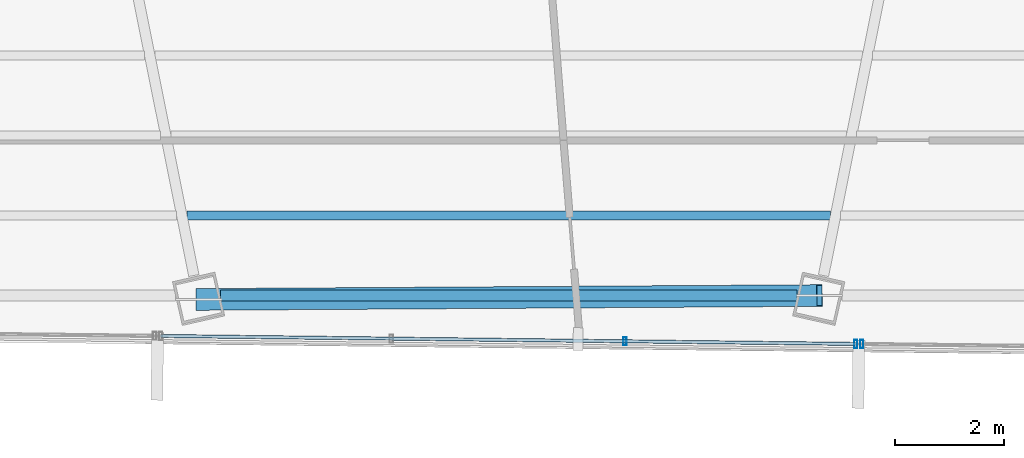
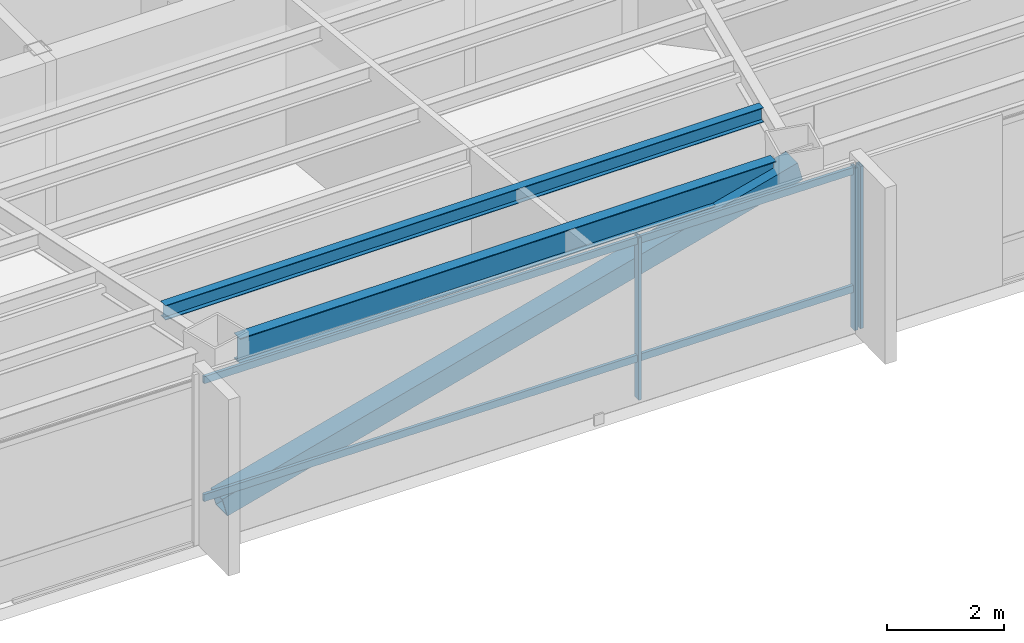
# One storey, part 10 of 40: 6 members, 2 beams, 2 elements without a shape of their own.
"""IFC4 building model written with IfcOpenShell, lengths in metres."""

from ifc_helpers import new_model, si_unit, direction, frame, origin, origin_2d, place, context, subcontext, project, spatial, hollow_rectangle, i_section, extrude, source, transform, mapped, material, material_profile, profile_set, type_object, type_shapes, element, aggregate, save


model = new_model("IFC4")

# Units and contexts
model_context = context("Model", 3, precision=1e-05, world=origin(), true_north=direction((0.0, 1.0)))
body_context = subcontext(model_context, "Body", "Model", "MODEL_VIEW")
ifc_project = project(units=[si_unit("LENGTHUNIT", "METRE"), si_unit("AREAUNIT", "SQUARE_METRE"), si_unit("VOLUMEUNIT", "CUBIC_METRE"), si_unit("PLANEANGLEUNIT", "RADIAN"), si_unit("MASSUNIT", "GRAM", prefix="KILO")], contexts=[model_context])

# Site, building, storey
site_placement = place(None, origin())
site = spatial("IfcSite", under=ifc_project, at=site_placement, CompositionType="ELEMENT")
building_placement = place(site_placement, origin())
building = spatial("IfcBuilding", under=site, at=building_placement, Name="Caelisora Broadcast Tower", CompositionType="ELEMENT")
storey_placement = place(building_placement, frame((0.0, 0.0, 213.25)))
storey = spatial("IfcBuildingStorey", under=building, at=storey_placement, Name="L56", CompositionType="ELEMENT", Elevation=213.25)

# Beams
ifc_material_1 = material(Name="Steel Grade 350 (AS/NZS 3679.1)", Category="steel")
ifc_material_profile_1 = material_profile(ifc_material_1, i_section(OverallWidth=0.208984375, OverallDepth=0.532958984375, WebThickness=0.01025390625, FlangeThickness=0.015625, at=origin_2d()), Name="Steel Grade 350 (AS/NZS 3679.1)")
ifc_profile_set_1 = profile_set([ifc_material_profile_1], Name="Steel Grade 350 (AS/NZS 3679.1)")
beam_type_1 = type_object("IfcBeamType", Name="PG05", PredefinedType="BEAM", material=ifc_profile_set_1)
shared_shape_1 = source(origin(), body_context, "Body", "SweptSolid", [
    extrude(i_section(OverallWidth=0.208984375, OverallDepth=0.532958984375, WebThickness=0.01025390625, FlangeThickness=0.015625, at=origin_2d()), origin(), (0.0, 0.0, 1.0), 10.62255859375),
])
type_shapes(beam_type_1, [shared_shape_1])
beam_1_placement = place(storey_placement, frame((32.688720703125, 8.549560546875, 3.133544921875), z_axis=(1.0, 0.0, 0.0), x_axis=(0.0, 1.0, 0.0)))
element("IfcBeam", 1, at=beam_1_placement, inside=storey, type_object=beam_type_1, Name="L56 beam PG05", PredefinedType="BEAM", context=body_context, shape_type="MappedRepresentation", body=[
    mapped(shared_shape_1, transform((0.0, 0.0, 0.0), scale=1.0)),
])
ifc_material_profile_2 = material_profile(ifc_material_1, i_section(OverallWidth=0.166015625, OverallDepth=0.30712890625, WebThickness=0.006591796875, FlangeThickness=0.01171875, at=origin_2d()), Name="Steel Grade 350 (AS/NZS 3679.1)")
ifc_profile_set_2 = profile_set([ifc_material_profile_2], Name="Steel Grade 350 (AS/NZS 3679.1)")
beam_type_2 = type_object("IfcBeamType", Name="SB03", PredefinedType="JOIST", material=ifc_profile_set_2)
shared_shape_2 = source(origin(), body_context, "Body", "SweptSolid", [
    extrude(i_section(OverallWidth=0.166015625, OverallDepth=0.30712890625, WebThickness=0.006591796875, FlangeThickness=0.01171875, at=origin_2d()), origin(), (0.0, 0.0, 1.0), 11.85693359375),
])
type_shapes(beam_type_2, [shared_shape_2])
beam_2_placement = place(storey_placement, frame((32.071533203125, 10.024658203125, 3.246337890625), z_axis=(1.0, 0.0, 0.0), x_axis=(0.0, 1.0, 0.0)))
element("IfcBeam", 2, at=beam_2_placement, inside=storey, type_object=beam_type_2, Name="L56 beam SB03", PredefinedType="JOIST", context=body_context, shape_type="MappedRepresentation", body=[
    mapped(shared_shape_2, transform((0.0, 0.0, 0.0), scale=1.0)),
])

# Member
ifc_material_2 = material(Name="Steel Grade 450 (AS/NZS 1163 C450L0)", Category="steel")
ifc_material_profile_3 = material_profile(ifc_material_2, hollow_rectangle(XDim=0.39990234375, YDim=0.39990234375, WallThickness=0.01611328125, at=origin_2d()), Name="Steel Grade 450 (AS/NZS 1163 C450L0)")
ifc_profile_set_3 = profile_set([ifc_material_profile_3], Name="Steel Grade 450 (AS/NZS 1163 C450L0)")
member_type_1 = type_object("IfcMemberType", Name="BR04", PredefinedType="BRACE", material=ifc_profile_set_3)
shared_shape_3 = source(origin(), body_context, "Body", "SweptSolid", [
    extrude(hollow_rectangle(XDim=0.39990234375, YDim=0.39990234375, WallThickness=0.01611328125, at=origin_2d()), origin(), (0.0, 0.0, 1.0), 11.825439453125),
])
type_shapes(member_type_1, [shared_shape_3])
member_1_placement = place(storey_placement, frame((32.2890625, 8.477294921875, 0.10009765625), z_axis=(0.967265549254, 0.006111088399, 0.253692750832), x_axis=(-0.006317775344, 0.999980042658, 0.0)))
element("IfcMember", 3, at=member_1_placement, inside=storey, type_object=member_type_1, Name="L56 perimeter brace BR04", PredefinedType="BRACE", context=body_context, shape_type="MappedRepresentation", body=[
    mapped(shared_shape_3, transform((0.0, 0.0, 0.0), scale=1.0)),
])

# Curtain wall, member
ifc_material_3 = material(Name="Unitised Aluminium and Low-E Glass Curtain Wall", Category="glass")
curtain_wall_type_1 = type_object("IfcCurtainWallType", Name="CW-Z4", PredefinedType="NOTDEFINED", material=ifc_material_3)
curtain_wall_1_placement = place(storey_placement, origin())
curtain_wall_1 = element("IfcCurtainWall", 4, at=curtain_wall_1_placement, inside=storey, type_object=curtain_wall_type_1, Name="L56 curtain wall CW-Z4", PredefinedType="NOTDEFINED")
ifc_material_4 = material(Name="Aluminium 6063-T6 Anodised Terracotta Bronze", Category="aluminium")
ifc_material_profile_4 = material_profile(ifc_material_4, hollow_rectangle(XDim=0.06005859375, YDim=0.14990234375, WallThickness=0.00341796875, at=origin_2d()), Name="Aluminium 6063-T6 Anodised Terracotta Bronze")
ifc_profile_set_4 = profile_set([ifc_material_profile_4], Name="Aluminium 6063-T6 Anodised Terracotta Bronze")
member_type_2 = type_object("IfcMemberType", Name="CWM-03", PredefinedType="MULLION", material=ifc_profile_set_4)
shared_shape_4 = source(origin(), body_context, "Body", "SweptSolid", [
    extrude(hollow_rectangle(XDim=0.06005859375, YDim=0.14990234375, WallThickness=0.00341796875, at=origin_2d()), origin(), (0.0, 0.0, 1.0), 3.39990234375),
])
type_shapes(member_type_2, [shared_shape_4])
member_2_placement = place(storey_placement, frame((44.506591796875, 7.656494140625, 0.0), z_axis=(0.0, 0.0, 1.0), x_axis=(1.0, 0.0, 0.0)))
member_2 = element("IfcMember", 5, at=member_2_placement, type_object=member_type_2, Name="L56-CW-B05 mullion #3", PredefinedType="MULLION", context=body_context, shape_type="MappedRepresentation", body=[
    mapped(shared_shape_4, transform((0.0, 0.0, 0.0), scale=1.0)),
])
aggregate(curtain_wall_1, [member_2])

# Curtain wall, members
ifc_material_5 = material(Name="Unitised Aluminium Insulated Shadow-Box Spandrel Curtain Wall", Category="aluminium")
curtain_wall_type_2 = type_object("IfcCurtainWallType", Name="CW-SP2", PredefinedType="NOTDEFINED", material=ifc_material_5)
curtain_wall_2_placement = place(storey_placement, origin())
curtain_wall_2 = element("IfcCurtainWall", 6, at=curtain_wall_2_placement, inside=storey, type_object=curtain_wall_type_2, Name="L56 curtain wall CW-SP2", PredefinedType="NOTDEFINED")
member_3_placement = place(storey_placement, frame((44.396484375, 7.65771484375, 0.0), z_axis=(0.0, 0.0, 1.0), x_axis=(1.0, 0.0, 0.0)))
member_3 = element("IfcMember", 7, at=member_3_placement, type_object=member_type_2, Name="L56-CW-B06 mullion #0", PredefinedType="MULLION", context=body_context, shape_type="MappedRepresentation", body=[
    mapped(shared_shape_4, transform((0.0, 0.0, 0.0), scale=1.0)),
])
member_4_placement = place(storey_placement, frame((40.14306640625, 7.70654296875, 0.0), z_axis=(0.0, 0.0, 1.0), x_axis=(1.0, 0.0, 0.0)))
member_4 = element("IfcMember", 8, at=member_4_placement, type_object=member_type_2, Name="L56-CW-B06 mullion #1", PredefinedType="MULLION", context=body_context, shape_type="MappedRepresentation", body=[
    mapped(shared_shape_4, transform((0.0, 0.0, 0.0), scale=1.0)),
])
ifc_material_profile_5 = material_profile(ifc_material_4, hollow_rectangle(XDim=0.06005859375, YDim=0.14990234375, WallThickness=0.00341796875, at=origin_2d()), Name="Aluminium 6063-T6 Anodised Terracotta Bronze")
ifc_profile_set_5 = profile_set([ifc_material_profile_5], Name="Aluminium 6063-T6 Anodised Terracotta Bronze")
member_type_3 = type_object("IfcMemberType", Name="CWT-02", PredefinedType="USERDEFINED", material=ifc_profile_set_5)
shared_shape_5 = source(origin(), body_context, "Body", "SweptSolid", [
    extrude(hollow_rectangle(XDim=0.06005859375, YDim=0.14990234375, WallThickness=0.00341796875, at=origin_2d()), origin(), (0.0, 0.0, 1.0), 12.81103515625),
])
type_shapes(member_type_3, [shared_shape_5])
member_5_placement = place(storey_placement, frame((44.396484375, 7.65771484375, 0.85009765625), z_axis=(-0.999934191585, 0.011472249115, 0.0), x_axis=(-0.011472249115, -0.999934191585, 0.0)))
member_5 = element("IfcMember", 9, at=member_5_placement, type_object=member_type_3, Name="L56-CW-B06 transom #1", ObjectType="TRANSOM", PredefinedType="USERDEFINED", context=body_context, shape_type="MappedRepresentation", body=[
    mapped(shared_shape_5, transform((0.0, 0.0, 0.0), scale=1.0)),
])
member_6_placement = place(storey_placement, frame((44.396484375, 7.65771484375, 3.320068359375), z_axis=(-0.999934191585, 0.011472249115, 0.0), x_axis=(-0.011472249115, -0.999934191585, 0.0)))
member_6 = element("IfcMember", 10, at=member_6_placement, type_object=member_type_3, Name="L56-CW-B06 transom #2", ObjectType="TRANSOM", PredefinedType="USERDEFINED", context=body_context, shape_type="MappedRepresentation", body=[
    mapped(shared_shape_5, transform((0.0, 0.0, 0.0), scale=1.0)),
])
aggregate(curtain_wall_2, [member_3, member_4, member_5, member_6])

save(model, "model.ifc")
